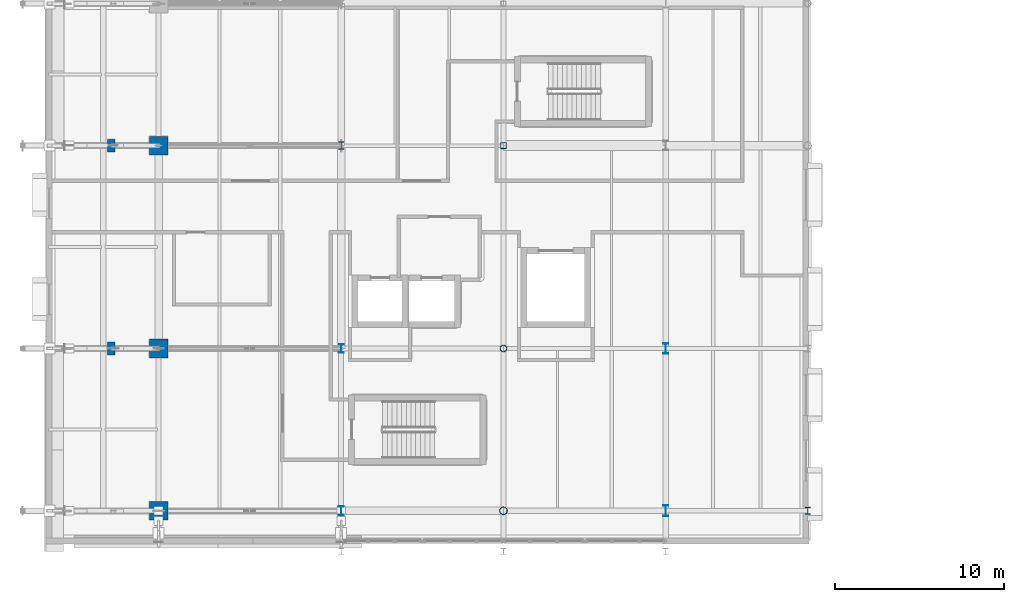
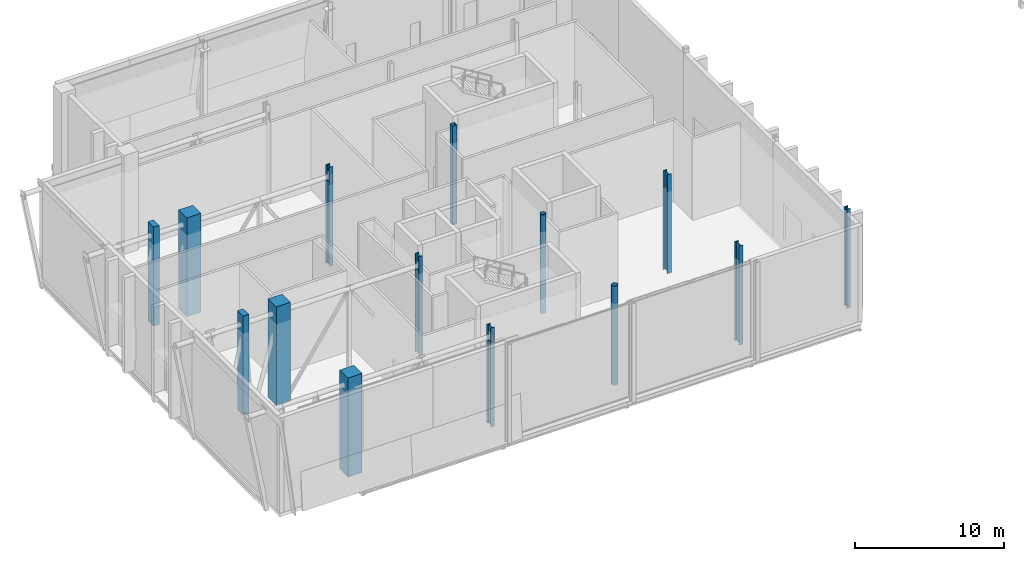
# One storey, part 1 of 79: 14 columns.
"""IFC4 building model written with IfcOpenShell, lengths in metres."""

import ifcopenshell
import ifcopenshell.guid

model = None  # the IFC model being written
_history = None  # IfcOwnerHistory: only IFC2X3 demands one
_inside = {}  # id of a spatial element -> (the spatial element, [elements in it])
_under = {}  # id of a project, library or spatial element -> (it, [spatial elements below it])
_declared = {}  # id of a project -> (the project, [libraries it declares])
_typed = {}  # id of a type object -> (the type object, [elements of that type])
_made_of = {}  # id of a material, layer set ... -> (it, [elements and type objects made of it])


def new_model(schema):
    """Start an empty IFC model of exactly this schema.

    Asked for "IFC4X3", IfcOpenShell would pick the latest addendum, in which some entities
    have other attributes; the version numbers below select the first issue.
    IFC2X3 requires an IfcOwnerHistory on every rooted entity: one is made here for all.
    """
    global model, _history
    if schema == "IFC4X3":
        model = ifcopenshell.file(schema_version=(4, 3, 0, 0))
    else:
        model = ifcopenshell.file(schema=schema)
    _inside.clear()
    _under.clear()
    _declared.clear()
    _typed.clear()
    _made_of.clear()
    _history = None
    if model.schema == "IFC2X3":
        org = make("IfcOrganization", Name="unknown")
        user = make(
            "IfcPersonAndOrganization",
            ThePerson=make("IfcPerson", FamilyName="unknown"),
            TheOrganization=org,
        )
        app = make(
            "IfcApplication",
            ApplicationDeveloper=org,
            Version="unknown",
            ApplicationFullName="unknown",
            ApplicationIdentifier="unknown",
        )
        _history = make(
            "IfcOwnerHistory",
            OwningUser=user,
            OwningApplication=app,
            ChangeAction="ADDED",
            CreationDate=0,
        )
    return model


def make(cls, **values):
    """One entity of the class cls with the attributes given. An attribute that is None is left unset."""
    return model.create_entity(
        cls, **{name: value for name, value in values.items() if value is not None}
    )


def rooted(cls, **values):
    """An entity with a GlobalId (a new one), such as an element, a storey or a relation."""
    return make(cls, GlobalId=ifcopenshell.guid.new(), OwnerHistory=_history, **values)


def si_unit(unit_type, name, prefix=None):
    """IfcSIUnit, for example si_unit("LENGTHUNIT", "METRE", prefix="MILLI")."""
    return make("IfcSIUnit", UnitType=unit_type, Prefix=prefix, Name=name)


def assignment(units):
    """IfcUnitAssignment: the units of a project."""
    return None if units is None else make("IfcUnitAssignment", Units=units)


def point(xyz):
    """IfcCartesianPoint."""
    return None if xyz is None else make("IfcCartesianPoint", Coordinates=xyz)


def direction(xyz):
    """IfcDirection."""
    return None if xyz is None else make("IfcDirection", DirectionRatios=xyz)


def frame(location, z_axis=None, x_axis=None):
    """IfcAxis2Placement3D, a coordinate frame: its origin and axes. An axis left out is left unset."""
    return make(
        "IfcAxis2Placement3D",
        Location=point(location),
        Axis=direction(z_axis),
        RefDirection=direction(x_axis),
    )


def frame_2d(location, x_axis=None):
    """IfcAxis2Placement2D, a coordinate frame in the plane: its origin and x axis."""
    return make(
        "IfcAxis2Placement2D", Location=point(location), RefDirection=direction(x_axis)
    )


def origin():
    """The frame at (0, 0, 0) with its axes left unset."""
    return frame((0.0, 0.0, 0.0))


def origin_2d():
    """The frame at (0, 0) in the plane with its x axis left unset."""
    return frame_2d((0.0, 0.0))


def place(relative_to, where):
    """IfcLocalPlacement: puts the frame where relative to a parent placement (None: the world)."""
    return make(
        "IfcLocalPlacement", PlacementRelTo=relative_to, RelativePlacement=where
    )


def context(
    kind, dimensions, precision=None, world=None, true_north=None, identifier=None
):
    """IfcGeometricRepresentationContext, for example the 3D "Model" context."""
    return make(
        "IfcGeometricRepresentationContext",
        ContextIdentifier=identifier,
        ContextType=kind,
        CoordinateSpaceDimension=dimensions,
        Precision=precision,
        WorldCoordinateSystem=world,
        TrueNorth=true_north,
    )


def subcontext(parent, identifier, kind, view, scale=None):
    """IfcGeometricRepresentationSubContext, for example "Body" below "Model"."""
    return make(
        "IfcGeometricRepresentationSubContext",
        ContextIdentifier=identifier,
        ContextType=kind,
        ParentContext=parent,
        TargetScale=scale,
        TargetView=view,
    )


def project(units=None, contexts=None):
    """IfcProject with its units and contexts."""
    return rooted(
        "IfcProject",
        Name="project",
        RepresentationContexts=contexts,
        UnitsInContext=assignment(units),
    )


def spatial(cls, under=None, at=None, **own):
    """A site, building, storey or space (cls), placed at a placement, below another one or the project."""
    s = rooted(cls, ObjectPlacement=at, **own)
    if under is not None:
        _under.setdefault(under.id(), (under, []))[1].append(s)
    return s


def profile(cls, at=None, kind="AREA", **sizes):
    """A parametric profile (cls). Its sizes go by their IFC names, for example OverallWidth=200.0."""
    return make(cls, ProfileType=kind, Position=at, **sizes)


def rectangle(**sizes):
    """IfcRectangleProfileDef."""
    return profile("IfcRectangleProfileDef", **sizes)


def hollow_rectangle(**sizes):
    """IfcRectangleHollowProfileDef."""
    return profile("IfcRectangleHollowProfileDef", **sizes)


def hollow_circle(**sizes):
    """IfcCircleHollowProfileDef."""
    return profile("IfcCircleHollowProfileDef", **sizes)


def i_section(**sizes):
    """IfcIShapeProfileDef."""
    return profile("IfcIShapeProfileDef", **sizes)


def extrude(swept, where, along, depth):
    """IfcExtrudedAreaSolid: the profile swept, set in the frame where, extruded along a direction by depth."""
    return make(
        "IfcExtrudedAreaSolid",
        SweptArea=swept,
        Position=where,
        ExtrudedDirection=direction(along),
        Depth=depth,
    )


def shape(context_of_items, identifier, shape_type, items):
    """IfcShapeRepresentation: the items that make up one representation, for example the "Body"."""
    return make(
        "IfcShapeRepresentation",
        ContextOfItems=context_of_items,
        RepresentationIdentifier=identifier,
        RepresentationType=shape_type,
        Items=items,
    )


def material(Name=None, Category=None):
    """IfcMaterial."""
    return make("IfcMaterial", Name=Name, Category=Category)


def material_profile(
    of_material, cross_section, Name=None, Category=None, Priority=None
):
    """IfcMaterialProfile: a cross section and its material."""
    return make(
        "IfcMaterialProfile",
        Name=Name,
        Material=of_material,
        Profile=cross_section,
        Priority=Priority,
        Category=Category,
    )


def profile_set(profiles, Name=None, composite=None):
    """IfcMaterialProfileSet."""
    return make(
        "IfcMaterialProfileSet",
        Name=Name,
        MaterialProfiles=profiles,
        CompositeProfile=composite,
    )


def made_of(thing, what):
    """Note that an element or type object is made of a material, layer set ...; save() writes the relation."""
    if what is not None:
        _made_of.setdefault(what.id(), (what, []))[1].append(thing)
    return thing


def type_object(cls, material=None, **own):
    """A type object (cls), such as IfcWallType, which elements share."""
    return made_of(rooted(cls, **own), material)


def element(
    cls,
    number,
    at=None,
    inside=None,
    cuts=None,
    type_object=None,
    material=None,
    context=None,
    identifier="Body",
    shape_type=None,
    held_by="IfcProductDefinitionShape",
    body=None,
    shapes=None,
    **own,
):
    """One element of the class cls, such as IfcWall. Its Tag is "e" and its number.

    at: its placement. inside: the storey or other place that contains it. cuts: it is an
    opening in that element (IfcRelVoidsElement). A single representation is given by context,
    identifier, shape_type and body (its items); several are given by shapes. held_by: the class
    of the entity that holds the representations. save() writes the other relations.
    """
    e = rooted(cls, Tag="e%d" % number, ObjectPlacement=at, **own)
    if body is not None:
        shapes = [shape(context, identifier, shape_type, body)]
    if shapes is not None:
        e.Representation = make(held_by, Representations=shapes)
    if inside is not None:
        _inside.setdefault(inside.id(), (inside, []))[1].append(e)
    if cuts is not None:
        rooted(
            "IfcRelVoidsElement", RelatingBuildingElement=cuts, RelatedOpeningElement=e
        )
    if type_object is not None:
        _typed.setdefault(type_object.id(), (type_object, []))[1].append(e)
    return made_of(e, material)


def aggregate(whole, parts):
    """IfcRelAggregates: a whole, such as a stair, and the parts it consists of."""
    return rooted("IfcRelAggregates", RelatingObject=whole, RelatedObjects=parts)


def save(model, path):
    """Write the relations noted so far, then the file.

    IfcRelAggregates (storeys below a building ...), IfcRelContainedInSpatialStructure (elements
    in a storey), IfcRelDefinesByType, IfcRelAssociatesMaterial and IfcRelDeclares: one each for
    every whole, place, type object, material and project.
    """
    for whole, parts in _under.values():
        aggregate(whole, parts)
    for where, things in _inside.values():
        rooted(
            "IfcRelContainedInSpatialStructure",
            RelatedElements=things,
            RelatingStructure=where,
        )
    for kind, things in _typed.values():
        rooted("IfcRelDefinesByType", RelatedObjects=things, RelatingType=kind)
    for what, things in _made_of.values():
        rooted("IfcRelAssociatesMaterial", RelatedObjects=things, RelatingMaterial=what)
    for by, libraries in _declared.values():
        rooted("IfcRelDeclares", RelatingContext=by, RelatedDefinitions=libraries)
    model.write(path)


model = new_model("IFC4")

# Units and contexts
model_context = context("Model", 3, precision=1e-05, world=origin(), true_north=direction((0.0, 1.0)))
body_context = subcontext(model_context, "Body", "Model", "MODEL_VIEW")
ifc_project = project(units=[si_unit("LENGTHUNIT", "METRE"), si_unit("AREAUNIT", "SQUARE_METRE"), si_unit("VOLUMEUNIT", "CUBIC_METRE"), si_unit("PLANEANGLEUNIT", "RADIAN"), si_unit("MASSUNIT", "GRAM", prefix="KILO")], contexts=[model_context])

# Site, building, storey
site_placement = place(None, origin())
site = spatial("IfcSite", under=ifc_project, at=site_placement, CompositionType="ELEMENT")
building_placement = place(site_placement, origin())
building = spatial("IfcBuilding", under=site, at=building_placement, Name="Zereglee Splitstone Museum", CompositionType="ELEMENT")
storey_placement = place(building_placement, frame((0.0, 0.0, 9.0)))
storey = spatial("IfcBuildingStorey", under=building, at=storey_placement, Name="L02", CompositionType="ELEMENT", Elevation=9.0)

# Columns
ifc_material_1 = material(Name="Concrete C45/55", Category="concrete")
ifc_material_profile_1 = material_profile(ifc_material_1, rectangle(XDim=1.10009765625, YDim=1.10009765625, at=origin_2d()), Name="RC 1100x1100")
ifc_profile_set_1 = profile_set([ifc_material_profile_1], Name="Concrete C45/55")
column_type_1 = type_object("IfcColumnType", Name="C-01", PredefinedType="COLUMN", material=ifc_profile_set_1)
for number, where, z_axis, x_axis, name in (
    (1, (9.60009765625, 0.0, 0.0), (0.0, 0.0, 1.0), (1.0, 0.0, 0.0), "Column 2/A L02"),
    (2, (9.60009765625, 9.60009765625, 0.0), (0.0, 0.0, 1.0), (1.0, 0.0, 0.0), "Column 2/B L02"),
    (3, (9.60009765625, 21.60009765625, 0.0), (0.0, 0.0, 1.0), (1.0, 0.0, 0.0), "Column 2/C L02"),
):
    element("IfcColumn", number, at=place(storey_placement, frame(where, z_axis=z_axis, x_axis=x_axis)), inside=storey, type_object=column_type_1, Name=name, PredefinedType="COLUMN", context=body_context, shape_type="SweptSolid", body=[
        extrude(rectangle(XDim=1.10009765625, YDim=1.10009765625, at=origin_2d()), origin(), (0.0, 0.0, 1.0), 8.10009765625),
    ])
ifc_material_2 = material(Name="Steel S355J2H", Category="steel")
ifc_material_profile_2 = material_profile(ifc_material_2, hollow_circle(Radius=0.203125, WallThickness=0.02001953125, at=origin_2d()), Name="CHS 406.4x20")
ifc_profile_set_2 = profile_set([ifc_material_profile_2], Name="Steel S355J2H")
column_type_2 = type_object("IfcColumnType", Name="C-18", PredefinedType="COLUMN", material=ifc_profile_set_2)
column_1_placement = place(storey_placement, frame((30.0, 9.60009765625, 0.0), z_axis=(0.0, 0.0, 1.0), x_axis=(1.0, 0.0, 0.0)))
element("IfcColumn", 4, at=column_1_placement, inside=storey, type_object=column_type_2, Name="Column 5/B L02", PredefinedType="COLUMN", context=body_context, shape_type="SweptSolid", body=[
    extrude(hollow_circle(Radius=0.203125, WallThickness=0.02001953125, at=origin_2d()), origin(), (0.0, 0.0, 1.0), 8.10009765625),
])
ifc_material_profile_3 = material_profile(ifc_material_2, hollow_circle(Radius=0.228515625, WallThickness=0.02001953125, at=origin_2d()), Name="CHS 457.0x20")
ifc_profile_set_3 = profile_set([ifc_material_profile_3], Name="Steel S355J2H")
column_type_3 = type_object("IfcColumnType", Name="C-17", PredefinedType="COLUMN", material=ifc_profile_set_3)
column_2_placement = place(storey_placement, frame((30.0, 0.0, 0.0), z_axis=(0.0, 0.0, 1.0), x_axis=(1.0, 0.0, 0.0)))
element("IfcColumn", 5, at=column_2_placement, inside=storey, type_object=column_type_3, Name="Column 5/A L02", PredefinedType="COLUMN", context=body_context, shape_type="SweptSolid", body=[
    extrude(hollow_circle(Radius=0.228515625, WallThickness=0.02001953125, at=origin_2d()), origin(), (0.0, 0.0, 1.0), 8.10009765625),
])
ifc_material_3 = material(Name="Steel S355J2", Category="steel")
ifc_material_profile_4 = material_profile(ifc_material_3, i_section(OverallWidth=0.300048828125, OverallDepth=0.39990234375, WebThickness=0.013427734375, FlangeThickness=0.02392578125, FilletRadius=0.027099609375, at=origin_2d()), Name="HE 400 B")
ifc_profile_set_4 = profile_set([ifc_material_profile_4], Name="Steel S355J2")
column_type_4 = type_object("IfcColumnType", Name="C-15", PredefinedType="COLUMN", material=ifc_profile_set_4)
column_3_placement = place(storey_placement, frame((48.0, 0.0, 0.0), z_axis=(0.0, 0.0, 1.0), x_axis=(1.0, 0.0, 0.0)))
element("IfcColumn", 6, at=column_3_placement, inside=storey, type_object=column_type_4, Name="Column 7/A L02", PredefinedType="COLUMN", context=body_context, shape_type="SweptSolid", body=[
    extrude(i_section(OverallWidth=0.300048828125, OverallDepth=0.39990234375, WebThickness=0.013427734375, FlangeThickness=0.02392578125, FilletRadius=0.027099609375, at=origin_2d()), origin(), (0.0, 0.0, 1.0), 8.10009765625),
])
ifc_material_profile_5 = material_profile(ifc_material_3, i_section(OverallWidth=0.300048828125, OverallDepth=0.449951171875, WebThickness=0.013916015625, FlangeThickness=0.02587890625, FilletRadius=0.027099609375, at=origin_2d()), Name="HE 450 B")
ifc_profile_set_5 = profile_set([ifc_material_profile_5], Name="Steel S355J2")
column_type_5 = type_object("IfcColumnType", Name="C-14", PredefinedType="COLUMN", material=ifc_profile_set_5)
column_4_placement = place(storey_placement, frame((20.39990234375, 21.60009765625, 0.0), z_axis=(0.0, 0.0, 1.0), x_axis=(1.0, 0.0, 0.0)))
element("IfcColumn", 7, at=column_4_placement, inside=storey, type_object=column_type_5, Name="Column 4/C L02", PredefinedType="COLUMN", context=body_context, shape_type="SweptSolid", body=[
    extrude(i_section(OverallWidth=0.300048828125, OverallDepth=0.449951171875, WebThickness=0.013916015625, FlangeThickness=0.02587890625, FilletRadius=0.027099609375, at=origin_2d()), origin(), (0.0, 0.0, 1.0), 8.10009765625),
])
ifc_material_profile_6 = material_profile(ifc_material_3, i_section(OverallWidth=0.300048828125, OverallDepth=0.5, WebThickness=0.014404296875, FlangeThickness=0.028076171875, FilletRadius=0.027099609375, at=origin_2d()), Name="HE 500 B")
ifc_profile_set_6 = profile_set([ifc_material_profile_6], Name="Steel S355J2")
column_type_6 = type_object("IfcColumnType", Name="C-13", PredefinedType="COLUMN", material=ifc_profile_set_6)
column_5_placement = place(storey_placement, frame((20.39990234375, 9.60009765625, 0.0), z_axis=(0.0, 0.0, 1.0), x_axis=(1.0, 0.0, 0.0)))
element("IfcColumn", 8, at=column_5_placement, inside=storey, type_object=column_type_6, Name="Column 4/B L02", PredefinedType="COLUMN", context=body_context, shape_type="SweptSolid", body=[
    extrude(i_section(OverallWidth=0.300048828125, OverallDepth=0.5, WebThickness=0.014404296875, FlangeThickness=0.028076171875, FilletRadius=0.027099609375, at=origin_2d()), origin(), (0.0, 0.0, 1.0), 8.10009765625),
])
ifc_material_profile_7 = material_profile(ifc_material_3, i_section(OverallWidth=0.300048828125, OverallDepth=0.550048828125, WebThickness=0.014892578125, FlangeThickness=0.029052734375, FilletRadius=0.027099609375, at=origin_2d()), Name="HE 550 B")
ifc_profile_set_7 = profile_set([ifc_material_profile_7], Name="Steel S355J2")
column_type_7 = type_object("IfcColumnType", Name="C-12", PredefinedType="COLUMN", material=ifc_profile_set_7)
column_6_placement = place(storey_placement, frame((20.39990234375, 0.0, 0.0), z_axis=(0.0, 0.0, 1.0), x_axis=(1.0, 0.0, 0.0)))
element("IfcColumn", 9, at=column_6_placement, inside=storey, type_object=column_type_7, Name="Column 4/A L02", PredefinedType="COLUMN", context=body_context, shape_type="SweptSolid", body=[
    extrude(i_section(OverallWidth=0.300048828125, OverallDepth=0.550048828125, WebThickness=0.014892578125, FlangeThickness=0.029052734375, FilletRadius=0.027099609375, at=origin_2d()), origin(), (0.0, 0.0, 1.0), 8.10009765625),
])
ifc_material_profile_8 = material_profile(ifc_material_3, i_section(OverallWidth=0.300048828125, OverallDepth=0.60009765625, WebThickness=0.015380859375, FlangeThickness=0.030029296875, FilletRadius=0.027099609375, at=origin_2d()), Name="HE 600 B")
ifc_profile_set_8 = profile_set([ifc_material_profile_8], Name="Steel S355J2")
column_type_8 = type_object("IfcColumnType", Name="C-11", PredefinedType="COLUMN", material=ifc_profile_set_8)
column_7_placement = place(storey_placement, frame((39.60009765625, 9.60009765625, 0.0), z_axis=(0.0, 0.0, 1.0), x_axis=(1.0, 0.0, 0.0)))
element("IfcColumn", 10, at=column_7_placement, inside=storey, type_object=column_type_8, Name="Column 6/B L02", PredefinedType="COLUMN", context=body_context, shape_type="SweptSolid", body=[
    extrude(i_section(OverallWidth=0.300048828125, OverallDepth=0.60009765625, WebThickness=0.015380859375, FlangeThickness=0.030029296875, FilletRadius=0.027099609375, at=origin_2d()), origin(), (0.0, 0.0, 1.0), 8.10009765625),
])
ifc_material_profile_9 = material_profile(ifc_material_3, i_section(OverallWidth=0.300048828125, OverallDepth=0.64990234375, WebThickness=0.01611328125, FlangeThickness=0.031005859375, FilletRadius=0.027099609375, at=origin_2d()), Name="HE 650 B")
ifc_profile_set_9 = profile_set([ifc_material_profile_9], Name="Steel S355J2")
column_type_9 = type_object("IfcColumnType", Name="C-10", PredefinedType="COLUMN", material=ifc_profile_set_9)
column_8_placement = place(storey_placement, frame((39.60009765625, 0.0, 0.0), z_axis=(0.0, 0.0, 1.0), x_axis=(1.0, 0.0, 0.0)))
element("IfcColumn", 11, at=column_8_placement, inside=storey, type_object=column_type_9, Name="Column 6/A L02", PredefinedType="COLUMN", context=body_context, shape_type="SweptSolid", body=[
    extrude(i_section(OverallWidth=0.300048828125, OverallDepth=0.64990234375, WebThickness=0.01611328125, FlangeThickness=0.031005859375, FilletRadius=0.027099609375, at=origin_2d()), origin(), (0.0, 0.0, 1.0), 8.10009765625),
])
ifc_material_profile_10 = material_profile(ifc_material_2, hollow_rectangle(XDim=0.35009765625, YDim=0.35009765625, WallThickness=0.01611328125, at=origin_2d()), Name="SHS 350x350x16")
ifc_profile_set_10 = profile_set([ifc_material_profile_10], Name="Steel S355J2H")
column_type_10 = type_object("IfcColumnType", Name="C-19", PredefinedType="COLUMN", material=ifc_profile_set_10)
column_9_placement = place(storey_placement, frame((30.0, 21.60009765625, 0.0), z_axis=(0.0, 0.0, 1.0), x_axis=(1.0, 0.0, 0.0)))
element("IfcColumn", 12, at=column_9_placement, inside=storey, type_object=column_type_10, Name="Column 5/C L02", PredefinedType="COLUMN", context=body_context, shape_type="SweptSolid", body=[
    extrude(hollow_rectangle(XDim=0.35009765625, YDim=0.35009765625, WallThickness=0.01611328125, at=origin_2d()), origin(), (0.0, 0.0, 1.0), 8.10009765625),
])
ifc_material_profile_11 = material_profile(ifc_material_1, rectangle(XDim=0.449951171875, YDim=0.75, at=origin_2d()), Name="RC 450x750")
ifc_profile_set_11 = profile_set([ifc_material_profile_11], Name="Concrete C45/55")
column_type_11 = type_object("IfcColumnType", Name="CP-01", PredefinedType="PILASTER", material=ifc_profile_set_11)
for number, where, z_axis, x_axis, name in (
    (13, (6.800048828125, 9.60009765625, 0.0), (0.0, 0.0, 1.0), (1.0, 0.0, 0.0), "Mughal Guldasta Portal Pilaster G01 L02"),
    (14, (6.800048828125, 21.60009765625, 0.0), (0.0, 0.0, 1.0), (1.0, 0.0, 0.0), "Mughal Guldasta Portal Pilaster G02 L02"),
):
    element("IfcColumn", number, at=place(storey_placement, frame(where, z_axis=z_axis, x_axis=x_axis)), inside=storey, type_object=column_type_11, Name=name, PredefinedType="PILASTER", context=body_context, shape_type="SweptSolid", body=[
        extrude(rectangle(XDim=0.449951171875, YDim=0.75, at=origin_2d()), origin(), (0.0, 0.0, 1.0), 8.10009765625),
    ])

save(model, "model.ifc")
